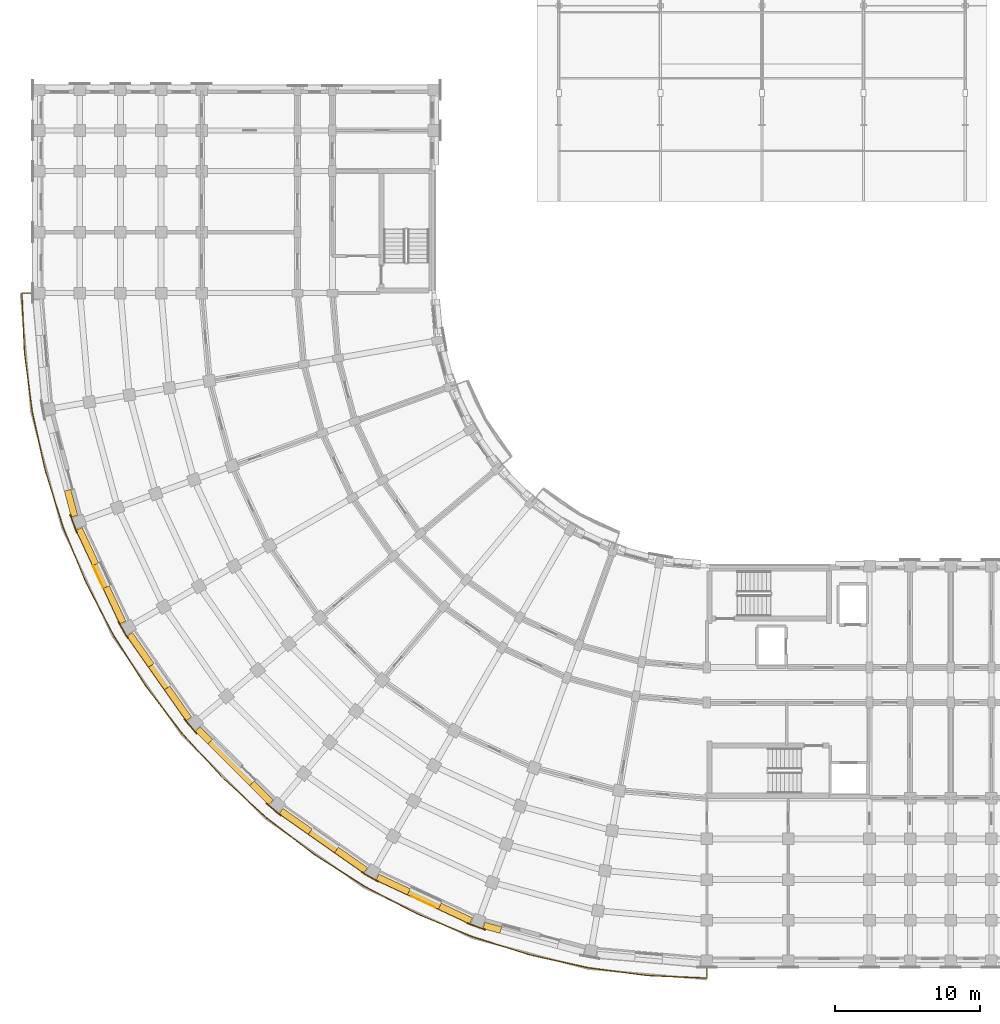
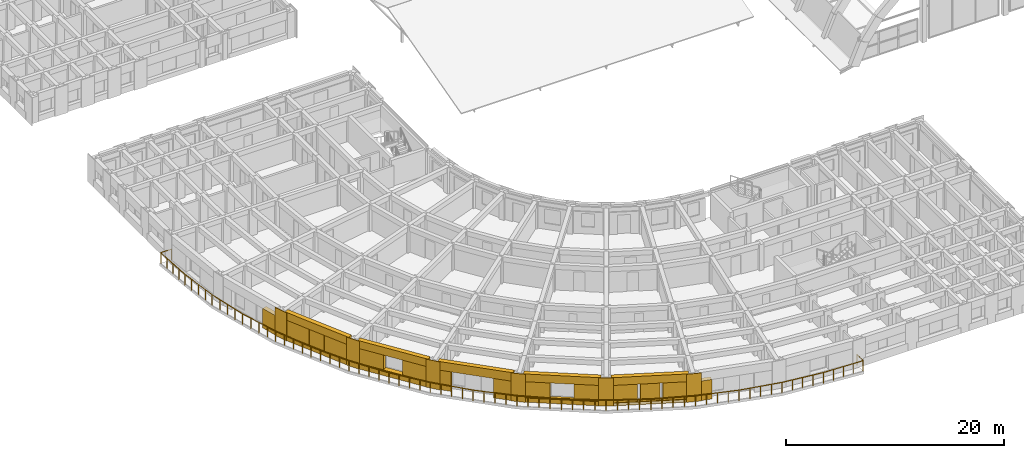
# One storey, part 59 of 76: 27 coverings, 2 shading devices, 1 railing.
"""IFC4 building model written with IfcOpenShell, lengths in metres."""

from ifc_helpers import new_model, si_unit, direction, frame, origin, origin_2d, place, context, subcontext, project, spatial, polyline, rectangle, circle, outline, extrude, material, layer, layer_set, type_object, element, save


model = new_model("IFC4")

# Units and contexts
model_context = context("Model", 3, precision=1e-05, world=origin(), true_north=direction((0.0, 1.0)))
body_context = subcontext(model_context, "Body", "Model", "MODEL_VIEW")
ifc_project = project(units=[si_unit("LENGTHUNIT", "METRE"), si_unit("AREAUNIT", "SQUARE_METRE"), si_unit("VOLUMEUNIT", "CUBIC_METRE"), si_unit("PLANEANGLEUNIT", "RADIAN"), si_unit("MASSUNIT", "GRAM", prefix="KILO")], contexts=[model_context])

# Site, building, storey
site_placement = place(None, origin())
site = spatial("IfcSite", under=ifc_project, at=site_placement, CompositionType="ELEMENT")
building_placement = place(site_placement, origin())
building = spatial("IfcBuilding", under=site, at=building_placement, Name="Kiranvali Square Residences", CompositionType="ELEMENT")
storey_placement = place(building_placement, frame((0.0, 0.0, 8.699951171875)))
storey = spatial("IfcBuildingStorey", under=building, at=storey_placement, Name="L02", CompositionType="ELEMENT", Elevation=8.699951171875)

# Coverings
ifc_material_1 = material(Name="Honed Porbandar limestone ashlar facade cladding", Category="masonry")
ifc_layer_1 = layer(ifc_material_1, 0.3798828125)
ifc_layer_set_1 = layer_set([ifc_layer_1], Name="Honed Porbandar limestone ashlar facade cladding")
covering_type_1 = type_object("IfcCoveringType", Name="COV-CLAD-JAMB", PredefinedType="CLADDING", material=ifc_layer_set_1)
covering_1_placement = place(storey_placement, origin())
element("IfcCovering", 1, at=covering_1_placement, inside=storey, type_object=covering_type_1, Name="L02 deep limestone window jamb reveal C-L02-CRV-01.R", PredefinedType="CLADDING", context=body_context, shape_type="SweptSolid", body=[
    extrude(outline(polyline([(34.0615234375, 4.54638671875), (32.901611328125, 4.857177734375), (32.78271484375, 4.413330078125), (33.942626953125, 4.1025390625), (34.0615234375, 4.54638671875)])), origin(), (0.0, 0.0, 1.0), 2.179931640625),
])
covering_2_placement = place(storey_placement, frame((0.0, 0.0, 0.322021484375)))
element("IfcCovering", 2, at=covering_2_placement, inside=storey, type_object=covering_type_1, Name="L02 deep limestone window jamb reveal C-L02-CRV-02.L", PredefinedType="CLADDING", context=body_context, shape_type="SweptSolid", body=[
    extrude(outline(polyline([(32.05908203125, 5.163818359375), (29.898193359375, 6.17138671875), (29.7041015625, 5.755126953125), (31.86474609375, 4.747314453125), (32.05908203125, 5.163818359375)])), origin(), (0.0, 0.0, 1.0), 1.949951171875),
])
covering_3_placement = place(storey_placement, frame((0.0, 0.0, 0.322021484375)))
element("IfcCovering", 3, at=covering_3_placement, inside=storey, type_object=covering_type_1, Name="L02 deep limestone window jamb reveal C-L02-CRV-02.R", PredefinedType="CLADDING", context=body_context, shape_type="SweptSolid", body=[
    extrude(outline(polyline([(27.768310546875, 7.16455078125), (25.607666015625, 8.172119140625), (25.413330078125, 7.755859375), (27.57421875, 6.748046875), (27.768310546875, 7.16455078125)])), origin(), (0.0, 0.0, 1.0), 1.949951171875),
])
covering_4_placement = place(storey_placement, frame((0.0, 0.0, 0.47216796875)))
element("IfcCovering", 4, at=covering_4_placement, inside=storey, type_object=covering_type_1, Name="L02 deep limestone window jamb reveal C-L02-CRV-03.L", PredefinedType="CLADDING", context=body_context, shape_type="SweptSolid", body=[
    extrude(outline(polyline([(24.8310546875, 8.62060546875), (22.816650390625, 10.031005859375), (22.55322265625, 9.654541015625), (24.567626953125, 8.244140625), (24.8310546875, 8.62060546875)])), origin(), (0.0, 0.0, 1.0), 1.7998046875),
])
covering_5_placement = place(storey_placement, frame((0.0, 0.0, 0.47216796875)))
element("IfcCovering", 5, at=covering_5_placement, inside=storey, type_object=covering_type_1, Name="L02 deep limestone window jamb reveal C-L02-CRV-03.R", PredefinedType="CLADDING", context=body_context, shape_type="SweptSolid", body=[
    extrude(outline(polyline([(21.0146484375, 11.29296875), (19.0, 12.703369140625), (18.736572265625, 12.3271484375), (20.7509765625, 10.91650390625), (21.0146484375, 11.29296875)])), origin(), (0.0, 0.0, 1.0), 1.7998046875),
])
covering_6_placement = place(storey_placement, origin())
element("IfcCovering", 6, at=covering_6_placement, inside=storey, type_object=covering_type_1, Name="L02 deep limestone window jamb reveal C-L02-CRV-04.L", PredefinedType="CLADDING", context=body_context, shape_type="SweptSolid", body=[
    extrude(outline(polyline([(18.313232421875, 13.27978515625), (17.01123046875, 14.581787109375), (16.686279296875, 14.257080078125), (17.98828125, 12.954833984375), (18.313232421875, 13.27978515625)])), origin(), (0.0, 0.0, 1.0), 2.179931640625),
])
covering_7_placement = place(storey_placement, origin())
element("IfcCovering", 7, at=covering_7_placement, inside=storey, type_object=covering_type_1, Name="L02 deep limestone window jamb reveal C-L02-CRV-04.R", PredefinedType="CLADDING", context=body_context, shape_type="SweptSolid", body=[
    extrude(outline(polyline([(14.12890625, 17.464111328125), (13.27978515625, 18.313232421875), (12.954833984375, 17.98828125), (13.803955078125, 17.13916015625), (14.12890625, 17.464111328125)])), origin(), (0.0, 0.0, 1.0), 2.179931640625),
])
covering_8_placement = place(storey_placement, frame((0.0, 0.0, 0.6220703125)))
element("IfcCovering", 8, at=covering_8_placement, inside=storey, type_object=covering_type_1, Name="L02 deep limestone window jamb reveal C-L02-CRV-05.L", PredefinedType="CLADDING", context=body_context, shape_type="SweptSolid", body=[
    extrude(outline(polyline([(12.703369140625, 19.0), (11.206787109375, 21.137451171875), (10.83056640625, 20.873779296875), (12.3271484375, 18.736572265625), (12.703369140625, 19.0)])), origin(), (0.0, 0.0, 1.0), 1.64990234375),
])
covering_9_placement = place(storey_placement, frame((0.0, 0.0, 0.6220703125)))
element("IfcCovering", 9, at=covering_9_placement, inside=storey, type_object=covering_type_1, Name="L02 deep limestone window jamb reveal C-L02-CRV-05.R", PredefinedType="CLADDING", context=body_context, shape_type="SweptSolid", body=[
    extrude(outline(polyline([(10.1171875, 22.69384765625), (8.62060546875, 24.8310546875), (8.244140625, 24.567626953125), (9.74072265625, 22.43017578125), (10.1171875, 22.69384765625)])), origin(), (0.0, 0.0, 1.0), 1.64990234375),
])
covering_10_placement = place(storey_placement, frame((0.0, 0.0, 0.52197265625)))
element("IfcCovering", 10, at=covering_10_placement, inside=storey, type_object=covering_type_1, Name="L02 deep limestone window jamb reveal C-L02-CRV-06.L", PredefinedType="CLADDING", context=body_context, shape_type="SweptSolid", body=[
    extrude(outline(polyline([(8.172119140625, 25.607666015625), (7.037841796875, 28.040283203125), (6.621337890625, 27.84619140625), (7.755859375, 25.413330078125), (8.172119140625, 25.607666015625)])), origin(), (0.0, 0.0, 1.0), 1.75),
])
covering_11_placement = place(storey_placement, frame((0.0, 0.0, 0.52197265625)))
element("IfcCovering", 11, at=covering_11_placement, inside=storey, type_object=covering_type_1, Name="L02 deep limestone window jamb reveal C-L02-CRV-06.R", PredefinedType="CLADDING", context=body_context, shape_type="SweptSolid", body=[
    extrude(outline(polyline([(6.29833984375, 29.626220703125), (5.163818359375, 32.05908203125), (4.747314453125, 31.86474609375), (5.8818359375, 29.43212890625), (6.29833984375, 29.626220703125)])), origin(), (0.0, 0.0, 1.0), 1.75),
])
covering_12_placement = place(storey_placement, origin())
element("IfcCovering", 12, at=covering_12_placement, inside=storey, type_object=covering_type_1, Name="L02 deep limestone window jamb reveal C-L02-CRV-07.L", PredefinedType="CLADDING", context=body_context, shape_type="SweptSolid", body=[
    extrude(outline(polyline([(4.857177734375, 32.901611328125), (4.380615234375, 34.68017578125), (3.936767578125, 34.561279296875), (4.413330078125, 32.78271484375), (4.857177734375, 32.901611328125)])), origin(), (0.0, 0.0, 1.0), 2.179931640625),
])
ifc_layer_2 = layer(ifc_material_1, 0.06494140625)
ifc_layer_set_2 = layer_set([ifc_layer_2], Name="Honed Porbandar limestone ashlar facade cladding")
covering_type_2 = type_object("IfcCoveringType", Name="COV-CLAD-PIER", PredefinedType="CLADDING", material=ifc_layer_set_2)
covering_13_placement = place(storey_placement, frame((0.0, 0.0, 0.005126953125)))
element("IfcCovering", 13, at=covering_13_placement, inside=storey, type_object=covering_type_2, Name="L02 Classical limestone corner pilaster CLAD-PR-C-L02-A02", PredefinedType="CLADDING", context=body_context, shape_type="SweptSolid", body=[
    extrude(outline(polyline([(31.66796875, 4.766845703125), (32.946044921875, 4.3017578125), (32.968994140625, 4.365234375), (31.691162109375, 4.830322265625), (31.66796875, 4.766845703125)])), origin(), (0.0, 0.0, 1.0), 3.139892578125),
])
covering_14_placement = place(storey_placement, frame((0.0, 0.0, 0.005126953125)))
element("IfcCovering", 14, at=covering_14_placement, inside=storey, type_object=covering_type_2, Name="L02 Classical limestone corner pilaster CLAD-PR-C-L02-A03", PredefinedType="CLADDING", context=body_context, shape_type="SweptSolid", body=[
    extrude(outline(polyline([(24.377197265625, 8.297607421875), (25.554931640625, 7.617431640625), (25.588623046875, 7.676025390625), (24.410888671875, 8.35595703125), (24.377197265625, 8.297607421875)])), origin(), (0.0, 0.0, 1.0), 3.139892578125),
])
covering_15_placement = place(storey_placement, frame((0.0, 0.0, 0.005126953125)))
element("IfcCovering", 15, at=covering_15_placement, inside=storey, type_object=covering_type_2, Name="L02 Classical limestone corner pilaster CLAD-PR-C-L02-A04", PredefinedType="CLADDING", context=body_context, shape_type="SweptSolid", body=[
    extrude(outline(polyline([(17.81005859375, 13.04052734375), (18.851806640625, 12.166259765625), (18.895263671875, 12.218017578125), (17.853515625, 13.09228515625), (17.81005859375, 13.04052734375)])), origin(), (0.0, 0.0, 1.0), 3.139892578125),
])
covering_16_placement = place(storey_placement, frame((0.0, 0.0, 0.005126953125)))
element("IfcCovering", 16, at=covering_16_placement, inside=storey, type_object=covering_type_2, Name="L02 Classical limestone corner pilaster CLAD-PR-C-L02-A05", PredefinedType="CLADDING", context=body_context, shape_type="SweptSolid", body=[
    extrude(outline(polyline([(12.166259765625, 18.851806640625), (13.04052734375, 17.81005859375), (13.09228515625, 17.853515625), (12.218017578125, 18.895263671875), (12.166259765625, 18.851806640625)])), origin(), (0.0, 0.0, 1.0), 3.139892578125),
])
covering_17_placement = place(storey_placement, frame((0.0, 0.0, 0.005126953125)))
element("IfcCovering", 17, at=covering_17_placement, inside=storey, type_object=covering_type_2, Name="L02 Classical limestone corner pilaster CLAD-PR-C-L02-A06", PredefinedType="CLADDING", context=body_context, shape_type="SweptSolid", body=[
    extrude(outline(polyline([(7.617431640625, 25.554931640625), (8.297607421875, 24.377197265625), (8.35595703125, 24.410888671875), (7.676025390625, 25.588623046875), (7.617431640625, 25.554931640625)])), origin(), (0.0, 0.0, 1.0), 3.139892578125),
])
covering_18_placement = place(storey_placement, frame((0.0, 0.0, 0.005126953125)))
element("IfcCovering", 18, at=covering_18_placement, inside=storey, type_object=covering_type_2, Name="L02 Classical limestone corner pilaster CLAD-PR-C-L02-A07", PredefinedType="CLADDING", context=body_context, shape_type="SweptSolid", body=[
    extrude(outline(polyline([(4.3017578125, 32.946044921875), (4.766845703125, 31.66796875), (4.830322265625, 31.691162109375), (4.365234375, 32.968994140625), (4.3017578125, 32.946044921875)])), origin(), (0.0, 0.0, 1.0), 3.139892578125),
])
ifc_layer_3 = layer(ifc_material_1, 0.360107421875)
ifc_layer_set_3 = layer_set([ifc_layer_3], Name="Honed Porbandar limestone ashlar facade cladding")
covering_type_3 = type_object("IfcCoveringType", Name="COV-CLAD-WALL", PredefinedType="CLADDING", material=ifc_layer_set_3)
covering_19_placement = place(storey_placement, frame((0.0, 0.0, 2.27197265625)))
element("IfcCovering", 19, at=covering_19_placement, inside=storey, type_object=covering_type_3, Name="L02 light limestone spandrel lintel C-L02-CRV-02", PredefinedType="CLADDING", context=body_context, shape_type="SweptSolid", body=[
    extrude(outline(polyline([(32.05908203125, 5.163818359375), (25.607666015625, 8.172119140625), (25.413330078125, 7.755859375), (31.86474609375, 4.747314453125), (32.05908203125, 5.163818359375)])), origin(), (0.0, 0.0, 1.0), 0.873046875),
])
covering_20_placement = place(storey_placement, frame((0.0, 0.0, 0.005126953125)))
element("IfcCovering", 20, at=covering_20_placement, inside=storey, type_object=covering_type_3, Name="L02 limestone window sill apron C-L02-CRV-02", PredefinedType="CLADDING", context=body_context, shape_type="SweptSolid", body=[
    extrude(outline(polyline([(32.05908203125, 5.163818359375), (25.607666015625, 8.172119140625), (25.40087890625, 7.728515625), (31.85205078125, 4.72021484375), (32.05908203125, 5.163818359375)])), origin(), (0.0, 0.0, 1.0), 0.31689453125),
])
covering_21_placement = place(storey_placement, frame((0.0, 0.0, 2.27197265625)))
element("IfcCovering", 21, at=covering_21_placement, inside=storey, type_object=covering_type_3, Name="L02 light limestone spandrel lintel C-L02-CRV-03", PredefinedType="CLADDING", context=body_context, shape_type="SweptSolid", body=[
    extrude(outline(polyline([(24.8310546875, 8.62060546875), (19.0, 12.703369140625), (18.736572265625, 12.3271484375), (24.567626953125, 8.244140625), (24.8310546875, 8.62060546875)])), origin(), (0.0, 0.0, 1.0), 0.873046875),
])
covering_22_placement = place(storey_placement, frame((0.0, 0.0, 0.005126953125)))
element("IfcCovering", 22, at=covering_22_placement, inside=storey, type_object=covering_type_3, Name="L02 limestone window sill apron C-L02-CRV-03", PredefinedType="CLADDING", context=body_context, shape_type="SweptSolid", body=[
    extrude(outline(polyline([(24.8310546875, 8.62060546875), (19.0, 12.703369140625), (18.71923828125, 12.302490234375), (24.55029296875, 8.219482421875), (24.8310546875, 8.62060546875)])), origin(), (0.0, 0.0, 1.0), 0.467041015625),
])
covering_23_placement = place(storey_placement, frame((0.0, 0.0, 2.179931640625)))
element("IfcCovering", 23, at=covering_23_placement, inside=storey, type_object=covering_type_3, Name="L02 light limestone spandrel lintel C-L02-CRV-04", PredefinedType="CLADDING", context=body_context, shape_type="SweptSolid", body=[
    extrude(outline(polyline([(18.313232421875, 13.27978515625), (13.27978515625, 18.313232421875), (12.954833984375, 17.98828125), (17.98828125, 12.954833984375), (18.313232421875, 13.27978515625)])), origin(), (0.0, 0.0, 1.0), 0.965087890625),
])
covering_24_placement = place(storey_placement, frame((0.0, 0.0, 2.27197265625)))
element("IfcCovering", 24, at=covering_24_placement, inside=storey, type_object=covering_type_3, Name="L02 light limestone spandrel lintel C-L02-CRV-05", PredefinedType="CLADDING", context=body_context, shape_type="SweptSolid", body=[
    extrude(outline(polyline([(12.703369140625, 19.0), (8.62060546875, 24.8310546875), (8.244140625, 24.567626953125), (12.3271484375, 18.736572265625), (12.703369140625, 19.0)])), origin(), (0.0, 0.0, 1.0), 0.873046875),
])
covering_25_placement = place(storey_placement, frame((0.0, 0.0, 0.005126953125)))
element("IfcCovering", 25, at=covering_25_placement, inside=storey, type_object=covering_type_3, Name="L02 limestone window sill apron C-L02-CRV-05", PredefinedType="CLADDING", context=body_context, shape_type="SweptSolid", body=[
    extrude(outline(polyline([(12.703369140625, 19.0), (8.62060546875, 24.8310546875), (8.219482421875, 24.55029296875), (12.302490234375, 18.71923828125), (12.703369140625, 19.0)])), origin(), (0.0, 0.0, 1.0), 0.616943359375),
])
covering_26_placement = place(storey_placement, frame((0.0, 0.0, 2.27197265625)))
element("IfcCovering", 26, at=covering_26_placement, inside=storey, type_object=covering_type_3, Name="L02 light limestone spandrel lintel C-L02-CRV-06", PredefinedType="CLADDING", context=body_context, shape_type="SweptSolid", body=[
    extrude(outline(polyline([(8.172119140625, 25.607666015625), (5.163818359375, 32.05908203125), (4.747314453125, 31.86474609375), (7.755859375, 25.413330078125), (8.172119140625, 25.607666015625)])), origin(), (0.0, 0.0, 1.0), 0.873046875),
])
covering_27_placement = place(storey_placement, frame((0.0, 0.0, 0.005126953125)))
element("IfcCovering", 27, at=covering_27_placement, inside=storey, type_object=covering_type_3, Name="L02 limestone window sill apron C-L02-CRV-06", PredefinedType="CLADDING", context=body_context, shape_type="SweptSolid", body=[
    extrude(outline(polyline([(8.172119140625, 25.607666015625), (5.163818359375, 32.05908203125), (4.72021484375, 31.85205078125), (7.728515625, 25.40087890625), (8.172119140625, 25.607666015625)])), origin(), (0.0, 0.0, 1.0), 0.516845703125),
])

# Railing
ifc_material_2 = material(Name="Powder-coated architectural bronze balustrade", Category="steel")
railing_type = type_object("IfcRailingType", Name="RL-BAL-GOLD-1200", PredefinedType="BALUSTRADE", material=ifc_material_2)
railing_placement = place(storey_placement, frame((48.199951171875, 2.159912109375, 0.0)))
element("IfcRailing", 28, at=railing_placement, inside=storey, type_object=railing_type, Name="Block C L02 continuous curved corner gold balustrade", PredefinedType="BALUSTRADE", context=body_context, shape_type="SweptSolid", body=[
    extrude(circle(Radius=0.02392578125, at=origin_2d()), frame((0.0, 0.0, 1.17578125), z_axis=(0.0, -1.0, 0.0), x_axis=(1.0, 0.0, 0.0)), (0.0, 0.0, 1.0), 1.14990234375),
    extrude(circle(Radius=0.02392578125, at=origin_2d()), frame((0.0, -1.14990234375, 1.17578125), z_axis=(-0.999049544955, 0.043589066576, 0.0), x_axis=(-0.043589066576, -0.999049544955, 0.0)), (0.0, 0.0, 1.0), 4.11669921875),
    extrude(circle(Radius=0.02392578125, at=origin_2d()), frame((-4.11279296875, -0.970458984375, 1.17578125), z_axis=(-0.991444603928, 0.1305281477, 0.0), x_axis=(-0.1305281477, -0.991444603928, 0.0)), (0.0, 0.0, 1.0), 4.11669921875),
    extrude(circle(Radius=0.02392578125, at=origin_2d()), frame((-8.1943359375, -0.43310546875, 1.17578125), z_axis=(-0.976292989924, 0.216453223181, 0.0), x_axis=(-0.216453223181, -0.976292989924, 0.0)), (0.0, 0.0, 1.0), 4.116943359375),
    extrude(circle(Radius=0.02392578125, at=origin_2d()), frame((-12.213623046875, 0.4580078125, 1.17578125), z_axis=(-0.953710744932, 0.300725481131, 0.0), x_axis=(-0.300725481131, -0.953710744932, 0.0)), (0.0, 0.0, 1.0), 4.116943359375),
    extrude(circle(Radius=0.02392578125, at=origin_2d()), frame((-16.139892578125, 1.696044921875, 1.17578125), z_axis=(-0.923880226262, 0.382681757498, 0.0), x_axis=(-0.382681757498, -0.923880226262, 0.0)), (0.0, 0.0, 1.0), 4.116943359375),
    extrude(circle(Radius=0.02392578125, at=origin_2d()), frame((-19.943359375, 3.271484375, 1.17578125), z_axis=(-0.887013781313, 0.461742949877, 0.0), x_axis=(-0.461742949877, -0.887013781313, 0.0)), (0.0, 0.0, 1.0), 4.11669921875),
    extrude(circle(Radius=0.02392578125, at=origin_2d()), frame((-23.594970703125, 5.17236328125, 1.17578125), z_axis=(-0.843402550976, 0.537282176335, 0.0), x_axis=(-0.537282176335, -0.843402550976, 0.0)), (0.0, 0.0, 1.0), 4.116943359375),
    extrude(circle(Radius=0.02392578125, at=origin_2d()), frame((-27.067138671875, 7.38427734375, 1.17578125), z_axis=(-0.793339967331, 0.608778856594, 0.0), x_axis=(-0.608778856594, -0.793339967331, 0.0)), (0.0, 0.0, 1.0), 4.11669921875),
    extrude(circle(Radius=0.02392578125, at=origin_2d()), frame((-30.3330078125, 9.890380859375, 1.17578125), z_axis=(-0.737299356654, 0.675566176386, 0.0), x_axis=(-0.675566176386, -0.737299356654, 0.0)), (0.0, 0.0, 1.0), 4.116943359375),
    extrude(circle(Radius=0.02392578125, at=origin_2d()), frame((-33.368408203125, 12.671630859375, 1.17578125), z_axis=(-0.675566176386, 0.737299356654, 0.0), x_axis=(-0.737299356654, -0.675566176386, 0.0)), (0.0, 0.0, 1.0), 4.116943359375),
    extrude(circle(Radius=0.02392578125, at=origin_2d()), frame((-36.149658203125, 15.70703125, 1.17578125), z_axis=(-0.608778856594, 0.793339967331, 0.0), x_axis=(-0.793339967331, -0.608778856594, 0.0)), (0.0, 0.0, 1.0), 4.11669921875),
    extrude(circle(Radius=0.02392578125, at=origin_2d()), frame((-38.65576171875, 18.972900390625, 1.17578125), z_axis=(-0.537282176335, 0.843402550976, 0.0), x_axis=(-0.843402550976, -0.537282176335, 0.0)), (0.0, 0.0, 1.0), 4.116943359375),
    extrude(circle(Radius=0.02392578125, at=origin_2d()), frame((-40.86767578125, 22.445068359375, 1.17578125), z_axis=(-0.461742949877, 0.887013781313, 0.0), x_axis=(-0.887013781313, -0.461742949877, 0.0)), (0.0, 0.0, 1.0), 4.11669921875),
    extrude(circle(Radius=0.02392578125, at=origin_2d()), frame((-42.7685546875, 26.0966796875, 1.17578125), z_axis=(-0.382681757498, 0.923880226262, 0.0), x_axis=(-0.923880226262, -0.382681757498, 0.0)), (0.0, 0.0, 1.0), 4.116943359375),
    extrude(circle(Radius=0.02392578125, at=origin_2d()), frame((-44.343994140625, 29.900146484375, 1.17578125), z_axis=(-0.300725481131, 0.953710744932, 0.0), x_axis=(-0.953710744932, -0.300725481131, 0.0)), (0.0, 0.0, 1.0), 4.116943359375),
    extrude(circle(Radius=0.02392578125, at=origin_2d()), frame((-45.58203125, 33.826416015625, 1.17578125), z_axis=(-0.216453223181, 0.976292989924, 0.0), x_axis=(-0.976292989924, -0.216453223181, 0.0)), (0.0, 0.0, 1.0), 4.116943359375),
    extrude(circle(Radius=0.02392578125, at=origin_2d()), frame((-46.47314453125, 37.845703125, 1.17578125), z_axis=(-0.1305281477, 0.991444603928, 0.0), x_axis=(-0.991444603928, -0.1305281477, 0.0)), (0.0, 0.0, 1.0), 4.11669921875),
    extrude(circle(Radius=0.02392578125, at=origin_2d()), frame((-47.010498046875, 41.92724609375, 1.17578125), z_axis=(-0.043589066576, 0.999049544955, 0.0), x_axis=(-0.999049544955, -0.043589066576, 0.0)), (0.0, 0.0, 1.0), 4.11669921875),
    extrude(circle(Radius=0.02392578125, at=origin_2d()), frame((-47.18994140625, 46.0400390625, 1.17578125), z_axis=(1.0, 0.0, 0.0), x_axis=(0.0, 1.0, 0.0)), (0.0, 0.0, 1.0), 1.14990234375),
    extrude(circle(Radius=0.02099609375, at=origin_2d()), origin(), (0.0, 0.0, 1.0), 1.15185546875),
    extrude(circle(Radius=0.02099609375, at=origin_2d()), frame((0.0, -1.14990234375, 0.0)), (0.0, 0.0, 1.0), 1.15185546875),
    extrude(circle(Radius=0.02099609375, at=origin_2d()), frame((-1.0283203125, -1.10498046875, 0.0)), (0.0, 0.0, 1.0), 1.15185546875),
    extrude(circle(Radius=0.02099609375, at=origin_2d()), frame((-2.056396484375, -1.06005859375, 0.0)), (0.0, 0.0, 1.0), 1.15185546875),
    extrude(circle(Radius=0.02099609375, at=origin_2d()), frame((-3.08447265625, -1.015380859375, 0.0)), (0.0, 0.0, 1.0), 1.15185546875),
    extrude(circle(Radius=0.02099609375, at=origin_2d()), frame((-4.11279296875, -0.970458984375, 0.0)), (0.0, 0.0, 1.0), 1.15185546875),
    extrude(circle(Radius=0.02099609375, at=origin_2d()), frame((-5.13330078125, -0.836181640625, 0.0)), (0.0, 0.0, 1.0), 1.15185546875),
    extrude(circle(Radius=0.02099609375, at=origin_2d()), frame((-6.153564453125, -0.70166015625, 0.0)), (0.0, 0.0, 1.0), 1.15185546875),
    extrude(circle(Radius=0.02099609375, at=origin_2d()), frame((-7.173828125, -0.5673828125, 0.0)), (0.0, 0.0, 1.0), 1.15185546875),
    extrude(circle(Radius=0.02099609375, at=origin_2d()), frame((-8.1943359375, -0.43310546875, 0.0)), (0.0, 0.0, 1.0), 1.15185546875),
    extrude(circle(Radius=0.02099609375, at=origin_2d()), frame((-9.19921875, -0.21044921875, 0.0)), (0.0, 0.0, 1.0), 1.15185546875),
    extrude(circle(Radius=0.02099609375, at=origin_2d()), frame((-10.2041015625, 0.012451171875, 0.0)), (0.0, 0.0, 1.0), 1.15185546875),
    extrude(circle(Radius=0.02099609375, at=origin_2d()), frame((-11.208740234375, 0.2353515625, 0.0)), (0.0, 0.0, 1.0), 1.15185546875),
    extrude(circle(Radius=0.02099609375, at=origin_2d()), frame((-12.213623046875, 0.4580078125, 0.0)), (0.0, 0.0, 1.0), 1.15185546875),
    extrude(circle(Radius=0.02099609375, at=origin_2d()), frame((-13.1953125, 0.767578125, 0.0)), (0.0, 0.0, 1.0), 1.15185546875),
    extrude(circle(Radius=0.02099609375, at=origin_2d()), frame((-14.1767578125, 1.0771484375, 0.0)), (0.0, 0.0, 1.0), 1.15185546875),
    extrude(circle(Radius=0.02099609375, at=origin_2d()), frame((-15.158203125, 1.386474609375, 0.0)), (0.0, 0.0, 1.0), 1.15185546875),
    extrude(circle(Radius=0.02099609375, at=origin_2d()), frame((-16.139892578125, 1.696044921875, 0.0)), (0.0, 0.0, 1.0), 1.15185546875),
    extrude(circle(Radius=0.02099609375, at=origin_2d()), frame((-17.0908203125, 2.08984375, 0.0)), (0.0, 0.0, 1.0), 1.15185546875),
    extrude(circle(Radius=0.02099609375, at=origin_2d()), frame((-18.04150390625, 2.48388671875, 0.0)), (0.0, 0.0, 1.0), 1.15185546875),
    extrude(circle(Radius=0.02099609375, at=origin_2d()), frame((-18.992431640625, 2.877685546875, 0.0)), (0.0, 0.0, 1.0), 1.15185546875),
    extrude(circle(Radius=0.02099609375, at=origin_2d()), frame((-19.943359375, 3.271484375, 0.0)), (0.0, 0.0, 1.0), 1.15185546875),
    extrude(circle(Radius=0.02099609375, at=origin_2d()), frame((-20.856201171875, 3.74658203125, 0.0)), (0.0, 0.0, 1.0), 1.15185546875),
    extrude(circle(Radius=0.02099609375, at=origin_2d()), frame((-21.76904296875, 4.221923828125, 0.0)), (0.0, 0.0, 1.0), 1.15185546875),
    extrude(circle(Radius=0.02099609375, at=origin_2d()), frame((-22.68212890625, 4.697265625, 0.0)), (0.0, 0.0, 1.0), 1.15185546875),
    extrude(circle(Radius=0.02099609375, at=origin_2d()), frame((-23.594970703125, 5.17236328125, 0.0)), (0.0, 0.0, 1.0), 1.15185546875),
    extrude(circle(Radius=0.02099609375, at=origin_2d()), frame((-24.462890625, 5.725341796875, 0.0)), (0.0, 0.0, 1.0), 1.15185546875),
    extrude(circle(Radius=0.02099609375, at=origin_2d()), frame((-25.3310546875, 6.2783203125, 0.0)), (0.0, 0.0, 1.0), 1.15185546875),
    extrude(circle(Radius=0.02099609375, at=origin_2d()), frame((-26.19921875, 6.831298828125, 0.0)), (0.0, 0.0, 1.0), 1.15185546875),
    extrude(circle(Radius=0.02099609375, at=origin_2d()), frame((-27.067138671875, 7.38427734375, 0.0)), (0.0, 0.0, 1.0), 1.15185546875),
    extrude(circle(Radius=0.02099609375, at=origin_2d()), frame((-27.883544921875, 8.0107421875, 0.0)), (0.0, 0.0, 1.0), 1.15185546875),
    extrude(circle(Radius=0.02099609375, at=origin_2d()), frame((-28.7001953125, 8.63720703125, 0.0)), (0.0, 0.0, 1.0), 1.15185546875),
    extrude(circle(Radius=0.02099609375, at=origin_2d()), frame((-29.5166015625, 9.263916015625, 0.0)), (0.0, 0.0, 1.0), 1.15185546875),
    extrude(circle(Radius=0.02099609375, at=origin_2d()), frame((-30.3330078125, 9.890380859375, 0.0)), (0.0, 0.0, 1.0), 1.15185546875),
    extrude(circle(Radius=0.02099609375, at=origin_2d()), frame((-31.091796875, 10.585693359375, 0.0)), (0.0, 0.0, 1.0), 1.15185546875),
    extrude(circle(Radius=0.02099609375, at=origin_2d()), frame((-31.8505859375, 11.281005859375, 0.0)), (0.0, 0.0, 1.0), 1.15185546875),
    extrude(circle(Radius=0.02099609375, at=origin_2d()), frame((-32.609619140625, 11.976318359375, 0.0)), (0.0, 0.0, 1.0), 1.15185546875),
    extrude(circle(Radius=0.02099609375, at=origin_2d()), frame((-33.368408203125, 12.671630859375, 0.0)), (0.0, 0.0, 1.0), 1.15185546875),
    extrude(circle(Radius=0.02099609375, at=origin_2d()), frame((-34.063720703125, 13.430419921875, 0.0)), (0.0, 0.0, 1.0), 1.15185546875),
    extrude(circle(Radius=0.02099609375, at=origin_2d()), frame((-34.759033203125, 14.189453125, 0.0)), (0.0, 0.0, 1.0), 1.15185546875),
    extrude(circle(Radius=0.02099609375, at=origin_2d()), frame((-35.454345703125, 14.9482421875, 0.0)), (0.0, 0.0, 1.0), 1.15185546875),
    extrude(circle(Radius=0.02099609375, at=origin_2d()), frame((-36.149658203125, 15.70703125, 0.0)), (0.0, 0.0, 1.0), 1.15185546875),
    extrude(circle(Radius=0.02099609375, at=origin_2d()), frame((-36.776123046875, 16.5234375, 0.0)), (0.0, 0.0, 1.0), 1.15185546875),
    extrude(circle(Radius=0.02099609375, at=origin_2d()), frame((-37.40283203125, 17.33984375, 0.0)), (0.0, 0.0, 1.0), 1.15185546875),
    extrude(circle(Radius=0.02099609375, at=origin_2d()), frame((-38.029296875, 18.156494140625, 0.0)), (0.0, 0.0, 1.0), 1.15185546875),
    extrude(circle(Radius=0.02099609375, at=origin_2d()), frame((-38.65576171875, 18.972900390625, 0.0)), (0.0, 0.0, 1.0), 1.15185546875),
    extrude(circle(Radius=0.02099609375, at=origin_2d()), frame((-39.208740234375, 19.8408203125, 0.0)), (0.0, 0.0, 1.0), 1.15185546875),
    extrude(circle(Radius=0.02099609375, at=origin_2d()), frame((-39.76171875, 20.708984375, 0.0)), (0.0, 0.0, 1.0), 1.15185546875),
    extrude(circle(Radius=0.02099609375, at=origin_2d()), frame((-40.314697265625, 21.5771484375, 0.0)), (0.0, 0.0, 1.0), 1.15185546875),
    extrude(circle(Radius=0.02099609375, at=origin_2d()), frame((-40.86767578125, 22.445068359375, 0.0)), (0.0, 0.0, 1.0), 1.15185546875),
    extrude(circle(Radius=0.02099609375, at=origin_2d()), frame((-41.3427734375, 23.35791015625, 0.0)), (0.0, 0.0, 1.0), 1.15185546875),
    extrude(circle(Radius=0.02099609375, at=origin_2d()), frame((-41.818115234375, 24.27099609375, 0.0)), (0.0, 0.0, 1.0), 1.15185546875),
    extrude(circle(Radius=0.02099609375, at=origin_2d()), frame((-42.29345703125, 25.183837890625, 0.0)), (0.0, 0.0, 1.0), 1.15185546875),
    extrude(circle(Radius=0.02099609375, at=origin_2d()), frame((-42.7685546875, 26.0966796875, 0.0)), (0.0, 0.0, 1.0), 1.15185546875),
    extrude(circle(Radius=0.02099609375, at=origin_2d()), frame((-43.162353515625, 27.047607421875, 0.0)), (0.0, 0.0, 1.0), 1.15185546875),
    extrude(circle(Radius=0.02099609375, at=origin_2d()), frame((-43.55615234375, 27.99853515625, 0.0)), (0.0, 0.0, 1.0), 1.15185546875),
    extrude(circle(Radius=0.02099609375, at=origin_2d()), frame((-43.9501953125, 28.94921875, 0.0)), (0.0, 0.0, 1.0), 1.15185546875),
    extrude(circle(Radius=0.02099609375, at=origin_2d()), frame((-44.343994140625, 29.900146484375, 0.0)), (0.0, 0.0, 1.0), 1.15185546875),
    extrude(circle(Radius=0.02099609375, at=origin_2d()), frame((-44.653564453125, 30.8818359375, 0.0)), (0.0, 0.0, 1.0), 1.15185546875),
    extrude(circle(Radius=0.02099609375, at=origin_2d()), frame((-44.962890625, 31.86328125, 0.0)), (0.0, 0.0, 1.0), 1.15185546875),
    extrude(circle(Radius=0.02099609375, at=origin_2d()), frame((-45.2724609375, 32.8447265625, 0.0)), (0.0, 0.0, 1.0), 1.15185546875),
    extrude(circle(Radius=0.02099609375, at=origin_2d()), frame((-45.58203125, 33.826416015625, 0.0)), (0.0, 0.0, 1.0), 1.15185546875),
    extrude(circle(Radius=0.02099609375, at=origin_2d()), frame((-45.8046875, 34.831298828125, 0.0)), (0.0, 0.0, 1.0), 1.15185546875),
    extrude(circle(Radius=0.02099609375, at=origin_2d()), frame((-46.027587890625, 35.8359375, 0.0)), (0.0, 0.0, 1.0), 1.15185546875),
    extrude(circle(Radius=0.02099609375, at=origin_2d()), frame((-46.25048828125, 36.8408203125, 0.0)), (0.0, 0.0, 1.0), 1.15185546875),
    extrude(circle(Radius=0.02099609375, at=origin_2d()), frame((-46.47314453125, 37.845703125, 0.0)), (0.0, 0.0, 1.0), 1.15185546875),
    extrude(circle(Radius=0.02099609375, at=origin_2d()), frame((-46.607421875, 38.8662109375, 0.0)), (0.0, 0.0, 1.0), 1.15185546875),
    extrude(circle(Radius=0.02099609375, at=origin_2d()), frame((-46.74169921875, 39.886474609375, 0.0)), (0.0, 0.0, 1.0), 1.15185546875),
    extrude(circle(Radius=0.02099609375, at=origin_2d()), frame((-46.876220703125, 40.90673828125, 0.0)), (0.0, 0.0, 1.0), 1.15185546875),
    extrude(circle(Radius=0.02099609375, at=origin_2d()), frame((-47.010498046875, 41.92724609375, 0.0)), (0.0, 0.0, 1.0), 1.15185546875),
    extrude(circle(Radius=0.02099609375, at=origin_2d()), frame((-47.055419921875, 42.95556640625, 0.0)), (0.0, 0.0, 1.0), 1.15185546875),
    extrude(circle(Radius=0.02099609375, at=origin_2d()), frame((-47.10009765625, 43.983642578125, 0.0)), (0.0, 0.0, 1.0), 1.15185546875),
    extrude(circle(Radius=0.02099609375, at=origin_2d()), frame((-47.14501953125, 45.01171875, 0.0)), (0.0, 0.0, 1.0), 1.15185546875),
    extrude(circle(Radius=0.02099609375, at=origin_2d()), frame((-47.18994140625, 46.0400390625, 0.0)), (0.0, 0.0, 1.0), 1.15185546875),
    extrude(circle(Radius=0.02099609375, at=origin_2d()), frame((-46.0400390625, 46.0400390625, 0.0)), (0.0, 0.0, 1.0), 1.15185546875),
])

# Shading devices
ifc_material_3 = material(Name="Pierced buff sandstone architectural mashrabiya solar screen", Category="masonry")
shading_device_type_1 = type_object("IfcShadingDeviceType", Name="SHD-JALI-1800", PredefinedType="JALOUSIE", material=ifc_material_3)
shading_device_1_placement = place(storey_placement, frame((6.269775390625, 28.6474609375, 0.52197265625), z_axis=(0.0, 0.0, 1.0), x_axis=(-0.422618261741, 0.906307787037, 0.0)))
element("IfcShadingDevice", 29, at=shading_device_1_placement, inside=storey, type_object=shading_device_type_1, Name="L02 carved stone Mashrabiya screen C-L02-CRV-06", PredefinedType="JALOUSIE", context=body_context, shape_type="SweptSolid", body=[
    extrude(rectangle(XDim=1.64990234375, YDim=0.044921875, at=origin_2d()), origin(), (0.0, 0.0, 1.0), 1.75),
])
shading_device_type_2 = type_object("IfcShadingDeviceType", Name="SHD-JALI-2400", PredefinedType="JALOUSIE", material=ifc_material_3)
shading_device_2_placement = place(storey_placement, frame((28.6474609375, 6.269775390625, 0.322265625), z_axis=(0.0, 0.0, 1.0), x_axis=(-0.906307787037, 0.422618261741, 0.0)))
element("IfcShadingDevice", 30, at=shading_device_2_placement, inside=storey, type_object=shading_device_type_2, Name="L02 carved stone Mashrabiya screen C-L02-CRV-02", PredefinedType="JALOUSIE", context=body_context, shape_type="SweptSolid", body=[
    extrude(rectangle(XDim=1.800048828125, YDim=0.044921875, at=origin_2d()), origin(), (0.0, 0.0, 1.0), 1.949951171875),
])

save(model, "model.ifc")
